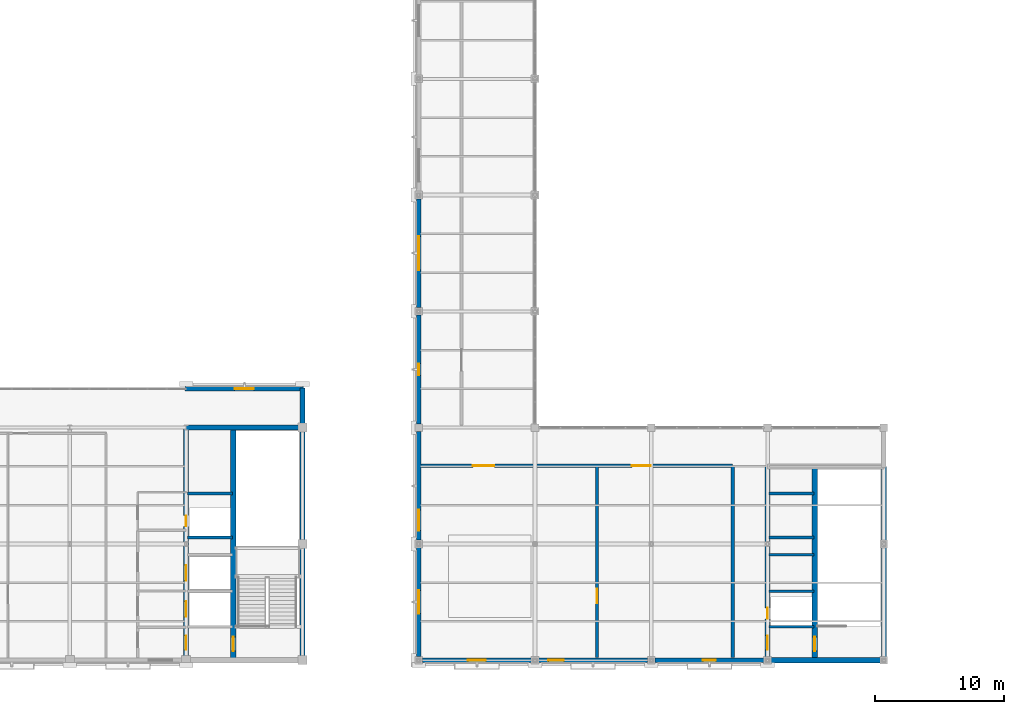
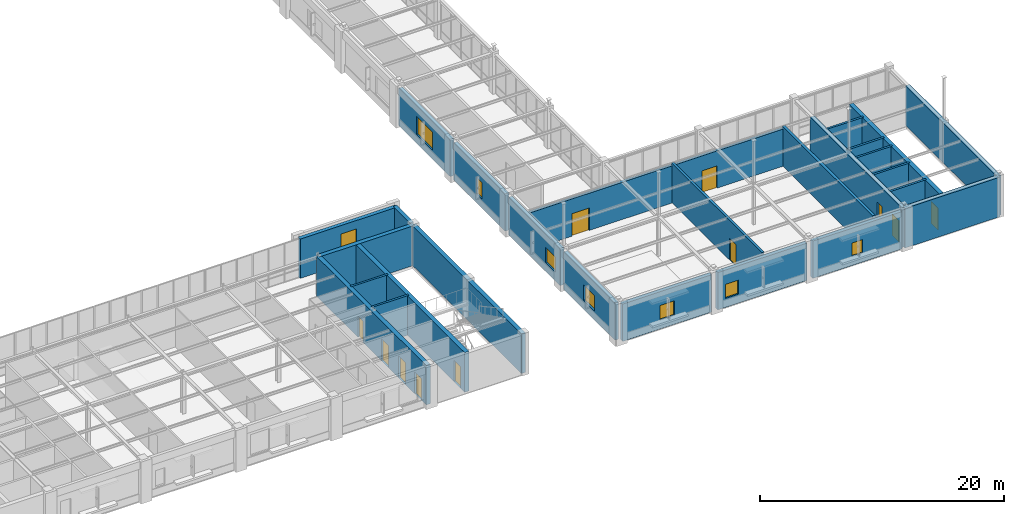
# One storey, part 82 of 97: 27 walls, 11 doors, 8 windows, 19 openings.
"""IFC4 building model written with IfcOpenShell, lengths in metres."""

from ifc_helpers import new_model, si_unit, direction, frame, frame_2d, origin, place, context, subcontext, project, spatial, rectangle, extrude, material, layer, layer_set, type_object, element, fill, save


model = new_model("IFC4")

# Units and contexts
model_context = context("Model", 3, precision=1e-05, world=origin(), true_north=direction((0.0, 1.0)))
body_context = subcontext(model_context, "Body", "Model", "MODEL_VIEW")
ifc_project = project(units=[si_unit("LENGTHUNIT", "METRE"), si_unit("AREAUNIT", "SQUARE_METRE"), si_unit("VOLUMEUNIT", "CUBIC_METRE"), si_unit("PLANEANGLEUNIT", "RADIAN"), si_unit("MASSUNIT", "GRAM", prefix="KILO")], contexts=[model_context])

# Site, building, storey
site_placement = place(None, origin())
site = spatial("IfcSite", under=ifc_project, at=site_placement, CompositionType="ELEMENT")
building_placement = place(site_placement, origin())
building = spatial("IfcBuilding", under=site, at=building_placement, Name="Lykobir Media Centre", CompositionType="ELEMENT")
storey_placement = place(building_placement, frame((0.0, 0.0, 23.39990234375)))
storey = spatial("IfcBuildingStorey", under=building, at=storey_placement, Name="L05", CompositionType="ELEMENT", Elevation=23.39990234375)

# Wall, opening, window
ifc_material_1 = material(Name="Architectural Ochre Brick", Category="masonry")
ifc_layer_1 = layer(ifc_material_1, 0.360107421875, Name="Architectural Ochre Brick")
ifc_layer_set_1 = layer_set([ifc_layer_1], Name="Architectural Ochre Brick")
wall_type_1 = type_object("IfcWallType", Name="EW-BRK-360", PredefinedType="STANDARD", material=ifc_layer_set_1)
wall_1_placement = place(storey_placement, frame((90.0, 26.715087890625, 0.0), z_axis=(0.0, 0.0, 1.0), x_axis=(0.0, -1.0, 0.0)))
wall_1 = element("IfcWall", 1, at=wall_1_placement, inside=storey, type_object=wall_type_1, Name="Exterior wall WALL-L05-0313", PredefinedType="STANDARD", context=body_context, shape_type="SweptSolid", body=[
    extrude(rectangle(XDim=8.43017578125, YDim=0.360107421875, at=frame_2d((4.215087890625, 0.0))), origin(), (0.0, 0.0, 1.0), 3.735107421875),
])
opening_1_placement = place(wall_1_placement, frame((3.764892578125, 0.0, 0.89990234375)))
opening_1 = element("IfcOpeningElement", 2, at=opening_1_placement, cuts=wall_1, Name="Opening WN-0900x1650", PredefinedType="OPENING", context=body_context, shape_type="SweptSolid", body=[
    extrude(rectangle(XDim=0.89990234375, YDim=1.64990234375, at=frame_2d((0.449951171875, 0.824951171875))), frame((0.0, 0.18994140625, 0.0), z_axis=(0.0, -1.0, 0.0), x_axis=(1.0, 0.0, 0.0)), (0.0, 0.0, 1.0), 0.380126953125),
])
ifc_material_2 = material(Name="Low-E Laminated Triple Glazing", Category="glass")
window_type_1 = type_object("IfcWindowType", Name="WN-0900x1650", PartitioningType="SINGLE_PANEL", PredefinedType="WINDOW", material=ifc_material_2)
window_1_placement = place(opening_1_placement, origin())
window_1 = element("IfcWindow", 3, at=window_1_placement, inside=storey, type_object=window_type_1, Name="Window WIN-L05-0126", OverallHeight=1.64990234375, OverallWidth=0.89990234375, PartitioningType="SINGLE_PANEL", PredefinedType="WINDOW", context=body_context, shape_type="SweptSolid", body=[
    extrude(rectangle(XDim=0.89990234375, YDim=1.64990234375, at=frame_2d((0.449951171875, 0.824951171875))), frame((0.0, 0.030029296875, 0.0), z_axis=(0.0, -1.0, 0.0), x_axis=(1.0, 0.0, 0.0)), (0.0, 0.0, 1.0), 0.06005859375),
])
fill(opening_1, window_1)

wall_2_placement = place(storey_placement, frame((90.0, 35.715087890625, 0.0), z_axis=(0.0, 0.0, 1.0), x_axis=(0.0, -1.0, 0.0)))
wall_2 = element("IfcWall", 4, at=wall_2_placement, inside=storey, type_object=wall_type_1, Name="Exterior wall WALL-L05-0314", PredefinedType="STANDARD", context=body_context, shape_type="SweptSolid", body=[
    extrude(rectangle(XDim=8.43017578125, YDim=0.360107421875, at=frame_2d((4.215087890625, 0.0))), origin(), (0.0, 0.0, 1.0), 3.735107421875),
])
opening_2_placement = place(wall_2_placement, frame((2.9150390625, 0.0, 0.89990234375)))
opening_2 = element("IfcOpeningElement", 5, at=opening_2_placement, cuts=wall_2, Name="Opening WN-2600x1800", PredefinedType="OPENING", context=body_context, shape_type="SweptSolid", body=[
    extrude(rectangle(XDim=2.60009765625, YDim=1.800048828125, at=frame_2d((1.300048828125, 0.89990234375))), frame((0.0, 0.18994140625, 0.0), z_axis=(0.0, -1.0, 0.0), x_axis=(1.0, 0.0, 0.0)), (0.0, 0.0, 1.0), 0.380126953125),
])
window_type_2 = type_object("IfcWindowType", Name="WN-2600x1800", PartitioningType="SINGLE_PANEL", PredefinedType="WINDOW", material=ifc_material_2)
window_2_placement = place(opening_2_placement, origin())
window_2 = element("IfcWindow", 6, at=window_2_placement, inside=storey, type_object=window_type_2, Name="Window WIN-L05-0127", OverallHeight=1.800048828125, OverallWidth=2.60009765625, PartitioningType="SINGLE_PANEL", PredefinedType="WINDOW", context=body_context, shape_type="SweptSolid", body=[
    extrude(rectangle(XDim=2.60009765625, YDim=1.800048828125, at=frame_2d((1.300048828125, 0.89990234375))), frame((0.0, 0.030029296875, 0.0), z_axis=(0.0, -1.0, 0.0), x_axis=(1.0, 0.0, 0.0)), (0.0, 0.0, 1.0), 0.06005859375),
])
fill(opening_2, window_2)

wall_3_placement = place(storey_placement, frame((90.0, 8.715087890625, 0.0), z_axis=(0.0, 0.0, 1.0), x_axis=(0.0, -1.0, 0.0)))
wall_3 = element("IfcWall", 7, at=wall_3_placement, inside=storey, type_object=wall_type_1, Name="Exterior wall WALL-L05-0319", PredefinedType="STANDARD", context=body_context, shape_type="SweptSolid", body=[
    extrude(rectangle(XDim=8.43017578125, YDim=0.360107421875, at=frame_2d((4.215087890625, 0.0))), origin(), (0.0, 0.0, 1.0), 3.735107421875),
])
opening_3_placement = place(wall_3_placement, frame((3.31494140625, 0.0, 0.89990234375)))
opening_3 = element("IfcOpeningElement", 8, at=opening_3_placement, cuts=wall_3, Name="Opening WN-1800x1550", PredefinedType="OPENING", context=body_context, shape_type="SweptSolid", body=[
    extrude(rectangle(XDim=1.800048828125, YDim=1.550048828125, at=frame_2d((0.89990234375, 0.77490234375))), frame((0.0, 0.18994140625, 0.0), z_axis=(0.0, -1.0, 0.0), x_axis=(1.0, 0.0, 0.0)), (0.0, 0.0, 1.0), 0.380126953125),
])
window_type_3 = type_object("IfcWindowType", Name="WN-1800x1550", PartitioningType="SINGLE_PANEL", PredefinedType="WINDOW", material=ifc_material_2)
window_3_placement = place(opening_3_placement, origin())
window_3 = element("IfcWindow", 9, at=window_3_placement, inside=storey, type_object=window_type_3, Name="Window WIN-L05-0132", OverallHeight=1.550048828125, OverallWidth=1.800048828125, PartitioningType="SINGLE_PANEL", PredefinedType="WINDOW", context=body_context, shape_type="SweptSolid", body=[
    extrude(rectangle(XDim=1.800048828125, YDim=1.550048828125, at=frame_2d((0.89990234375, 0.77490234375))), frame((0.0, 0.030029296875, 0.0), z_axis=(0.0, -1.0, 0.0), x_axis=(1.0, 0.0, 0.0)), (0.0, 0.0, 1.0), 0.06005859375),
])
fill(opening_3, window_3)

wall_4_placement = place(storey_placement, frame((90.0, 17.715087890625, 0.0), z_axis=(0.0, 0.0, 1.0), x_axis=(0.0, -1.0, 0.0)))
wall_4 = element("IfcWall", 10, at=wall_4_placement, inside=storey, type_object=wall_type_1, Name="Exterior wall WALL-L05-0320", PredefinedType="STANDARD", context=body_context, shape_type="SweptSolid", body=[
    extrude(rectangle(XDim=8.43017578125, YDim=0.360107421875, at=frame_2d((4.215087890625, 0.0))), origin(), (0.0, 0.0, 1.0), 3.735107421875),
])
opening_4_placement = place(wall_4_placement, frame((6.080078125, 0.0, 0.89990234375)))
opening_4 = element("IfcOpeningElement", 11, at=opening_4_placement, cuts=wall_4, Name="Opening WN-1600x1500", PredefinedType="OPENING", context=body_context, shape_type="SweptSolid", body=[
    extrude(rectangle(XDim=1.60009765625, YDim=1.5, at=frame_2d((0.800048828125, 0.75))), frame((0.0, 0.18994140625, 0.0), z_axis=(0.0, -1.0, 0.0), x_axis=(1.0, 0.0, 0.0)), (0.0, 0.0, 1.0), 0.380126953125),
])
window_type_4 = type_object("IfcWindowType", Name="WN-1600x1500", PartitioningType="SINGLE_PANEL", PredefinedType="WINDOW", material=ifc_material_2)
window_4_placement = place(opening_4_placement, origin())
window_4 = element("IfcWindow", 12, at=window_4_placement, inside=storey, type_object=window_type_4, Name="Window WIN-L05-0133", OverallHeight=1.5, OverallWidth=1.60009765625, PartitioningType="SINGLE_PANEL", PredefinedType="WINDOW", context=body_context, shape_type="SweptSolid", body=[
    extrude(rectangle(XDim=1.60009765625, YDim=1.5, at=frame_2d((0.800048828125, 0.75))), frame((0.0, 0.030029296875, 0.0), z_axis=(0.0, -1.0, 0.0), x_axis=(1.0, 0.0, 0.0)), (0.0, 0.0, 1.0), 0.06005859375),
])
fill(opening_4, window_4)

wall_5_placement = place(storey_placement, frame((90.284912109375, 0.0, 0.0), z_axis=(0.0, 0.0, 1.0), x_axis=(1.0, 0.0, 0.0)))
wall_5 = element("IfcWall", 13, at=wall_5_placement, inside=storey, type_object=wall_type_1, Name="Exterior wall WALL-L05-0321", PredefinedType="STANDARD", context=body_context, shape_type="SweptSolid", body=[
    extrude(rectangle(XDim=8.43017578125, YDim=0.360107421875, at=frame_2d((4.215087890625, 0.0))), origin(), (0.0, 0.0, 1.0), 3.735107421875),
])
opening_5_placement = place(wall_5_placement, frame((3.514892578125, 0.0, 0.89990234375)))
opening_5 = element("IfcOpeningElement", 14, at=opening_5_placement, cuts=wall_5, Name="Opening WN-1400x1450", PredefinedType="OPENING", context=body_context, shape_type="SweptSolid", body=[
    extrude(rectangle(XDim=1.39990234375, YDim=1.449951171875, at=frame_2d((0.699951171875, 0.72509765625))), frame((0.0, 0.18994140625, 0.0), z_axis=(0.0, -1.0, 0.0), x_axis=(1.0, 0.0, 0.0)), (0.0, 0.0, 1.0), 0.380126953125),
])
window_type_5 = type_object("IfcWindowType", Name="WN-1400x1450", PartitioningType="SINGLE_PANEL", PredefinedType="WINDOW", material=ifc_material_2)
window_5_placement = place(opening_5_placement, origin())
window_5 = element("IfcWindow", 15, at=window_5_placement, inside=storey, type_object=window_type_5, Name="Window WIN-L05-0134", OverallHeight=1.449951171875, OverallWidth=1.39990234375, PartitioningType="SINGLE_PANEL", PredefinedType="WINDOW", context=body_context, shape_type="SweptSolid", body=[
    extrude(rectangle(XDim=1.39990234375, YDim=1.449951171875, at=frame_2d((0.699951171875, 0.72509765625))), frame((0.0, 0.030029296875, 0.0), z_axis=(0.0, -1.0, 0.0), x_axis=(1.0, 0.0, 0.0)), (0.0, 0.0, 1.0), 0.06005859375),
])
fill(opening_5, window_5)

wall_6_placement = place(storey_placement, frame((99.284912109375, 0.0, 0.0), z_axis=(0.0, 0.0, 1.0), x_axis=(1.0, 0.0, 0.0)))
wall_6 = element("IfcWall", 16, at=wall_6_placement, inside=storey, type_object=wall_type_1, Name="Exterior wall WALL-L05-0322", PredefinedType="STANDARD", context=body_context, shape_type="SweptSolid", body=[
    extrude(rectangle(XDim=8.43017578125, YDim=0.360107421875, at=frame_2d((4.215087890625, 0.0))), origin(), (0.0, 0.0, 1.0), 3.735107421875),
])
opening_6_placement = place(wall_6_placement, frame((0.75, 0.0, 0.89990234375)))
opening_6 = element("IfcOpeningElement", 17, at=opening_6_placement, cuts=wall_6, Name="Opening WN-1200x1400", PredefinedType="OPENING", context=body_context, shape_type="SweptSolid", body=[
    extrude(rectangle(XDim=1.199951171875, YDim=1.39990234375, at=frame_2d((0.60009765625, 0.699951171875))), frame((0.0, 0.18994140625, 0.0), z_axis=(0.0, -1.0, 0.0), x_axis=(1.0, 0.0, 0.0)), (0.0, 0.0, 1.0), 0.380126953125),
])
window_type_6 = type_object("IfcWindowType", Name="WN-1200x1400", PartitioningType="SINGLE_PANEL", PredefinedType="WINDOW", material=ifc_material_2)
window_6_placement = place(opening_6_placement, origin())
window_6 = element("IfcWindow", 18, at=window_6_placement, inside=storey, type_object=window_type_6, Name="Window WIN-L05-0135", OverallHeight=1.39990234375, OverallWidth=1.199951171875, PartitioningType="SINGLE_PANEL", PredefinedType="WINDOW", context=body_context, shape_type="SweptSolid", body=[
    extrude(rectangle(XDim=1.199951171875, YDim=1.39990234375, at=frame_2d((0.60009765625, 0.699951171875))), frame((0.0, 0.030029296875, 0.0), z_axis=(0.0, -1.0, 0.0), x_axis=(1.0, 0.0, 0.0)), (0.0, 0.0, 1.0), 0.06005859375),
])
fill(opening_6, window_6)

wall_7_placement = place(storey_placement, frame((108.284912109375, 0.0, 0.0), z_axis=(0.0, 0.0, 1.0), x_axis=(1.0, 0.0, 0.0)))
wall_7 = element("IfcWall", 19, at=wall_7_placement, inside=storey, type_object=wall_type_1, Name="Exterior wall WALL-L05-0323", PredefinedType="STANDARD", context=body_context, shape_type="SweptSolid", body=[
    extrude(rectangle(XDim=8.43017578125, YDim=0.360107421875, at=frame_2d((4.215087890625, 0.0))), origin(), (0.0, 0.0, 1.0), 3.735107421875),
])
opening_7_placement = place(wall_7_placement, frame((3.715087890625, 0.0, 0.89990234375)))
opening_7 = element("IfcOpeningElement", 20, at=opening_7_placement, cuts=wall_7, Name="Opening WN-1000x1350", PredefinedType="OPENING", context=body_context, shape_type="SweptSolid", body=[
    extrude(rectangle(XDim=1.0, YDim=1.35009765625, at=frame_2d((0.5, 0.675048828125))), frame((0.0, 0.18994140625, 0.0), z_axis=(0.0, -1.0, 0.0), x_axis=(1.0, 0.0, 0.0)), (0.0, 0.0, 1.0), 0.380126953125),
])
window_type_7 = type_object("IfcWindowType", Name="WN-1000x1350", PartitioningType="SINGLE_PANEL", PredefinedType="WINDOW", material=ifc_material_2)
window_7_placement = place(opening_7_placement, origin())
window_7 = element("IfcWindow", 21, at=window_7_placement, inside=storey, type_object=window_type_7, Name="Window WIN-L05-0136", OverallHeight=1.35009765625, OverallWidth=1.0, PartitioningType="SINGLE_PANEL", PredefinedType="WINDOW", context=body_context, shape_type="SweptSolid", body=[
    extrude(rectangle(XDim=1.0, YDim=1.35009765625, at=frame_2d((0.5, 0.675048828125))), frame((0.0, 0.030029296875, 0.0), z_axis=(0.0, -1.0, 0.0), x_axis=(1.0, 0.0, 0.0)), (0.0, 0.0, 1.0), 0.06005859375),
])
fill(opening_7, window_7)

# Wall
wall_8_placement = place(storey_placement, frame((81.0, 18.3349609375, 0.0), z_axis=(0.0, 0.0, 1.0), x_axis=(0.0, 1.0, 0.0)))
element("IfcWall", 22, at=wall_8_placement, inside=storey, type_object=wall_type_1, Name="Exterior wall WALL-L05-0325", PredefinedType="STANDARD", context=body_context, shape_type="SweptSolid", body=[
    extrude(rectangle(XDim=2.739990234375, YDim=0.360107421875, at=frame_2d((1.3701171875, 0.0))), origin(), (0.0, 0.0, 1.0), 3.940185546875),
])

# Wall, opening, window
wall_9_placement = place(storey_placement, frame((81.074951171875, 21.0, 0.0), z_axis=(0.0, 0.0, 1.0), x_axis=(-1.0, 0.0, 0.0)))
wall_9 = element("IfcWall", 23, at=wall_9_placement, inside=storey, type_object=wall_type_1, Name="Exterior wall WALL-L05-0326", PredefinedType="STANDARD", context=body_context, shape_type="SweptSolid", body=[
    extrude(rectangle(XDim=9.14990234375, YDim=0.360107421875, at=frame_2d((4.574951171875, 0.0))), origin(), (0.0, 0.0, 1.0), 3.940185546875),
])
opening_8_placement = place(wall_9_placement, frame((3.824951171875, 0.0, 0.89990234375)))
opening_8 = element("IfcOpeningElement", 24, at=opening_8_placement, cuts=wall_9, Name="Opening WN-1500x2200", PredefinedType="OPENING", context=body_context, shape_type="SweptSolid", body=[
    extrude(rectangle(XDim=1.5, YDim=2.199951171875, at=frame_2d((0.75, 1.10009765625))), frame((0.0, 0.18994140625, 0.0), z_axis=(0.0, -1.0, 0.0), x_axis=(1.0, 0.0, 0.0)), (0.0, 0.0, 1.0), 0.380126953125),
])
window_type_8 = type_object("IfcWindowType", Name="WN-1500x2200", PartitioningType="SINGLE_PANEL", PredefinedType="WINDOW", material=ifc_material_2)
window_8_placement = place(opening_8_placement, origin())
window_8 = element("IfcWindow", 25, at=window_8_placement, inside=storey, type_object=window_type_8, Name="Window WIN-L05-0137", OverallHeight=2.199951171875, OverallWidth=1.5, PartitioningType="SINGLE_PANEL", PredefinedType="WINDOW", context=body_context, shape_type="SweptSolid", body=[
    extrude(rectangle(XDim=1.5, YDim=2.199951171875, at=frame_2d((0.75, 1.10009765625))), frame((0.0, 0.030029296875, 0.0), z_axis=(0.0, -1.0, 0.0), x_axis=(1.0, 0.0, 0.0)), (0.0, 0.0, 1.0), 0.06005859375),
])
fill(opening_8, window_8)

# Walls
ifc_material_3 = material(Name="Concrete C30/37", Category="concrete")
ifc_layer_2 = layer(ifc_material_3, 0.199951171875, Name="Concrete C30/37")
ifc_layer_set_2 = layer_set([ifc_layer_2], Name="Concrete C30/37")
wall_type_2 = type_object("IfcWallType", Name="IW-SHAFT-200", PredefinedType="PARTITIONING", material=ifc_layer_set_2)
for number, where, z_axis, x_axis, name in (
    (26, (72.10009765625, 9.5, 0.0), (0.0, 0.0, 1.0), (1.0, 0.0, 0.0), "Wall IWALL-L05-0287"),
    (27, (72.10009765625, 12.89990234375, 0.0), (0.0, 0.0, 1.0), (1.0, 0.0, 0.0), "Wall IWALL-L05-0288"),
    (28, (117.10009765625, 2.60009765625, 0.0), (0.0, 0.0, 1.0), (1.0, 0.0, 0.0), "Wall IWALL-L05-0639"),
    (29, (117.10009765625, 5.35009765625, 0.0), (0.0, 0.0, 1.0), (1.0, 0.0, 0.0), "Wall IWALL-L05-0640"),
    (30, (117.10009765625, 8.14990234375, 0.0), (0.0, 0.0, 1.0), (1.0, 0.0, 0.0), "Wall IWALL-L05-0641"),
    (31, (117.10009765625, 9.5, 0.0), (0.0, 0.0, 1.0), (1.0, 0.0, 0.0), "Wall IWALL-L05-0642"),
    (32, (117.10009765625, 12.89990234375, 0.0), (0.0, 0.0, 1.0), (1.0, 0.0, 0.0), "Wall IWALL-L05-0643"),
):
    element("IfcWall", number, at=place(storey_placement, frame(where, z_axis=z_axis, x_axis=x_axis)), inside=storey, type_object=wall_type_2, Name=name, PredefinedType="PARTITIONING", context=body_context, shape_type="SweptSolid", body=[
        extrude(rectangle(XDim=3.5, YDim=0.199951171875, at=frame_2d((1.75, 0.0))), origin(), (0.0, 0.0, 1.0), 3.960205078125),
    ])

# Wall, opening, door
ifc_material_4 = material(Name="Acoustic Gypsum Board", Category="gypsum")
ifc_layer_3 = layer(ifc_material_4, 0.219970703125, Name="Acoustic Gypsum Board")
ifc_layer_set_3 = layer_set([ifc_layer_3], Name="Acoustic Gypsum Board")
wall_type_3 = type_object("IfcWallType", Name="IW-STU-220", PredefinedType="PARTITIONING", material=ifc_layer_set_3)
wall_10_placement = place(storey_placement, frame((103.800048828125, 0.219970703125, 0.0), z_axis=(0.0, 0.0, 1.0), x_axis=(0.0, 1.0, 0.0)))
wall_10 = element("IfcWall", 33, at=wall_10_placement, inside=storey, type_object=wall_type_3, Name="Wall IWALL-L05-0769", PredefinedType="PARTITIONING", context=body_context, shape_type="SweptSolid", body=[
    extrude(rectangle(XDim=14.830078125, YDim=0.219970703125, at=frame_2d((7.4150390625, 0.0))), origin(), (0.0, 0.0, 1.0), 3.960205078125),
])
opening_9_placement = place(wall_10_placement, frame((4.199951171875, 0.0, 0.0)))
opening_9 = element("IfcOpeningElement", 34, at=opening_9_placement, cuts=wall_10, Name="Opening D-L05-RADS", PredefinedType="OPENING", context=body_context, shape_type="SweptSolid", body=[
    extrude(rectangle(XDim=1.10009765625, YDim=2.159912109375, at=frame_2d((0.550048828125, 1.080078125))), frame((0.0, 0.119873046875, 0.0), z_axis=(0.0, -1.0, 0.0), x_axis=(1.0, 0.0, 0.0)), (0.0, 0.0, 1.0), 0.239990234375),
])
ifc_material_5 = material(Name="Acoustic Timber Panelling", Category="wood")
door_type_1 = type_object("IfcDoorType", Name="FD-1100x2160", OperationType="NOTDEFINED", PredefinedType="DOOR", material=ifc_material_5)
door_1_placement = place(opening_9_placement, origin())
door_1 = element("IfcDoor", 35, at=door_1_placement, inside=storey, type_object=door_type_1, Name="Door D-L05-RADS", OperationType="SINGLE_SWING_LEFT", OverallHeight=2.159912109375, OverallWidth=1.10009765625, PredefinedType="DOOR", context=body_context, shape_type="SweptSolid", body=[
    extrude(rectangle(XDim=1.10009765625, YDim=2.159912109375, at=frame_2d((0.550048828125, 1.080078125))), frame((0.0, 0.02490234375, 0.0), z_axis=(0.0, -1.0, 0.0), x_axis=(1.0, 0.0, 0.0)), (0.0, 0.0, 1.0), 0.050048828125),
])
fill(opening_9, door_1)

# Wall, openings, doors
ifc_layer_4 = layer(ifc_material_4, 0.260009765625, Name="Acoustic Gypsum Board")
ifc_layer_set_4 = layer_set([ifc_layer_4], Name="Acoustic Gypsum Board")
wall_type_4 = type_object("IfcWallType", Name="IW-STU-260", PredefinedType="PARTITIONING", material=ifc_layer_set_4)
wall_11_placement = place(storey_placement, frame((90.0, 15.050048828125, 0.0), z_axis=(0.0, 0.0, 1.0), x_axis=(1.0, 0.0, 0.0)))
wall_11 = element("IfcWall", 36, at=wall_11_placement, inside=storey, type_object=wall_type_4, Name="Wall IWALL-L05-0766", PredefinedType="PARTITIONING", context=body_context, shape_type="SweptSolid", body=[
    extrude(rectangle(XDim=24.300048828125, YDim=0.260009765625, at=frame_2d((12.14990234375, 0.0))), origin(), (0.0, 0.0, 1.0), 3.72509765625),
])
opening_10_placement = place(wall_11_placement, frame((4.199951171875, 0.0, 0.0)))
opening_10 = element("IfcOpeningElement", 37, at=opening_10_placement, cuts=wall_11, Name="Opening D-L05-ES1", PredefinedType="OPENING", context=body_context, shape_type="SweptSolid", body=[
    extrude(rectangle(XDim=1.64990234375, YDim=2.25, at=frame_2d((0.824951171875, 1.125))), frame((0.0, 0.139892578125, 0.0), z_axis=(0.0, -1.0, 0.0), x_axis=(1.0, 0.0, 0.0)), (0.0, 0.0, 1.0), 0.280029296875),
])
opening_11_placement = place(wall_11_placement, frame((16.5, 0.0, 0.0)))
opening_11 = element("IfcOpeningElement", 38, at=opening_11_placement, cuts=wall_11, Name="Opening D-L05-ES2", PredefinedType="OPENING", context=body_context, shape_type="SweptSolid", body=[
    extrude(rectangle(XDim=1.449951171875, YDim=2.219970703125, at=frame_2d((0.72509765625, 1.10986328125))), frame((0.0, 0.139892578125, 0.0), z_axis=(0.0, -1.0, 0.0), x_axis=(1.0, 0.0, 0.0)), (0.0, 0.0, 1.0), 0.280029296875),
])
door_type_2 = type_object("IfcDoorType", Name="FD-1450x2220", OperationType="NOTDEFINED", PredefinedType="DOOR", material=ifc_material_5)
door_2_placement = place(opening_11_placement, origin())
door_2 = element("IfcDoor", 39, at=door_2_placement, inside=storey, type_object=door_type_2, Name="Door D-L05-ES2", OperationType="DOUBLE_DOOR_SINGLE_SWING", OverallHeight=2.219970703125, OverallWidth=1.449951171875, PredefinedType="DOOR", context=body_context, shape_type="SweptSolid", body=[
    extrude(rectangle(XDim=1.449951171875, YDim=2.219970703125, at=frame_2d((0.72509765625, 1.10986328125))), frame((0.0, 0.02490234375, 0.0), z_axis=(0.0, -1.0, 0.0), x_axis=(1.0, 0.0, 0.0)), (0.0, 0.0, 1.0), 0.050048828125),
])
fill(opening_11, door_2)
door_type_3 = type_object("IfcDoorType", Name="FD-1650x2250", OperationType="NOTDEFINED", PredefinedType="DOOR", material=ifc_material_5)
door_3_placement = place(opening_10_placement, origin())
door_3 = element("IfcDoor", 40, at=door_3_placement, inside=storey, type_object=door_type_3, Name="Door D-L05-ES1", OperationType="DOUBLE_DOOR_SINGLE_SWING", OverallHeight=2.25, OverallWidth=1.64990234375, PredefinedType="DOOR", context=body_context, shape_type="SweptSolid", body=[
    extrude(rectangle(XDim=1.64990234375, YDim=2.25, at=frame_2d((0.824951171875, 1.125))), frame((0.0, 0.02490234375, 0.0), z_axis=(0.0, -1.0, 0.0), x_axis=(1.0, 0.0, 0.0)), (0.0, 0.0, 1.0), 0.050048828125),
])
fill(opening_10, door_3)

# Wall
wall_12_placement = place(storey_placement, frame((114.300048828125, 0.219970703125, 0.0), z_axis=(0.0, 0.0, 1.0), x_axis=(0.0, 1.0, 0.0)))
element("IfcWall", 41, at=wall_12_placement, inside=storey, type_object=wall_type_4, Name="Wall IWALL-L05-0767", PredefinedType="PARTITIONING", context=body_context, shape_type="SweptSolid", body=[
    extrude(rectangle(XDim=14.830078125, YDim=0.260009765625, at=frame_2d((7.4150390625, 0.0))), origin(), (0.0, 0.0, 1.0), 3.960205078125),
])

# Wall, openings, doors
ifc_material_6 = material(Name="Concrete C40/50", Category="concrete")
ifc_layer_5 = layer(ifc_material_6, 0.39990234375, Name="Concrete C40/50")
ifc_layer_set_5 = layer_set([ifc_layer_5], Name="Concrete C40/50")
wall_type_5 = type_object("IfcWallType", Name="SW-CORE-400", PredefinedType="SHEAR", material=ifc_layer_set_5)
wall_13_placement = place(storey_placement, frame((72.0, 18.0, 0.0), z_axis=(0.0, 0.0, 1.0), x_axis=(0.0, -1.0, 0.0)))
wall_13 = element("IfcWall", 42, at=wall_13_placement, inside=storey, type_object=wall_type_5, Name="Wall IWALL-L05-0282", PredefinedType="SHEAR", context=body_context, shape_type="SweptSolid", body=[
    extrude(rectangle(XDim=18.0, YDim=0.39990234375, at=frame_2d((9.0, 0.0))), origin(), (0.0, 0.0, 1.0), 3.960205078125),
])
opening_12_placement = place(wall_13_placement, frame((16.10009765625, 0.0, 0.0)))
opening_12 = element("IfcOpeningElement", 43, at=opening_12_placement, cuts=wall_13, Name="Opening D-L05-C2VB", PredefinedType="OPENING", context=body_context, shape_type="SweptSolid", body=[
    extrude(rectangle(XDim=1.10009765625, YDim=2.159912109375, at=frame_2d((0.550048828125, 1.080078125))), frame((0.0, 0.2099609375, 0.0), z_axis=(0.0, -1.0, 0.0), x_axis=(1.0, 0.0, 0.0)), (0.0, 0.0, 1.0), 0.419921875),
])
opening_13_placement = place(wall_13_placement, frame((13.449951171875, 0.0, 0.0)))
opening_13 = element("IfcOpeningElement", 44, at=opening_13_placement, cuts=wall_13, Name="Opening LD-L05-PL-2", PredefinedType="OPENING", context=body_context, shape_type="SweptSolid", body=[
    extrude(rectangle(XDim=1.199951171875, YDim=2.199951171875, at=frame_2d((0.60009765625, 1.10009765625))), frame((0.0, 0.2099609375, 0.0), z_axis=(0.0, -1.0, 0.0), x_axis=(1.0, 0.0, 0.0)), (0.0, 0.0, 1.0), 0.419921875),
])
opening_14_placement = place(wall_13_placement, frame((10.64990234375, 0.0, 0.0)))
opening_14 = element("IfcOpeningElement", 45, at=opening_14_placement, cuts=wall_13, Name="Opening LD-L05-FL-2", PredefinedType="OPENING", context=body_context, shape_type="SweptSolid", body=[
    extrude(rectangle(XDim=1.199951171875, YDim=2.199951171875, at=frame_2d((0.60009765625, 1.10009765625))), frame((0.0, 0.2099609375, 0.0), z_axis=(0.0, -1.0, 0.0), x_axis=(1.0, 0.0, 0.0)), (0.0, 0.0, 1.0), 0.419921875),
])
opening_15_placement = place(wall_13_placement, frame((6.800048828125, 0.0, 0.0)))
opening_15 = element("IfcOpeningElement", 46, at=opening_15_placement, cuts=wall_13, Name="Opening D-L05-C2RS", PredefinedType="OPENING", context=body_context, shape_type="SweptSolid", body=[
    extrude(rectangle(XDim=0.85009765625, YDim=2.10009765625, at=frame_2d((0.425048828125, 1.050048828125))), frame((0.0, 0.2099609375, 0.0), z_axis=(0.0, -1.0, 0.0), x_axis=(1.0, 0.0, 0.0)), (0.0, 0.0, 1.0), 0.419921875),
])
ifc_material_7 = material(Name="Anodized Aluminium AW-6060", Category="aluminium")
door_type_4 = type_object("IfcDoorType", Name="FD-0850x2100", OperationType="NOTDEFINED", PredefinedType="DOOR", material=ifc_material_7)
door_4_placement = place(opening_15_placement, origin())
door_4 = element("IfcDoor", 47, at=door_4_placement, inside=storey, type_object=door_type_4, Name="Riser access door C2 L05", OperationType="SINGLE_SWING_RIGHT", OverallHeight=2.10009765625, OverallWidth=0.85009765625, PredefinedType="DOOR", context=body_context, shape_type="SweptSolid", body=[
    extrude(rectangle(XDim=0.85009765625, YDim=2.10009765625, at=frame_2d((0.425048828125, 1.050048828125))), frame((0.0, 0.02490234375, 0.0), z_axis=(0.0, -1.0, 0.0), x_axis=(1.0, 0.0, 0.0)), (0.0, 0.0, 1.0), 0.050048828125),
])
fill(opening_15, door_4)
door_5_placement = place(opening_12_placement, origin())
door_5 = element("IfcDoor", 48, at=door_5_placement, inside=storey, type_object=door_type_1, Name="Door D-L05-C2VB", OperationType="SINGLE_SWING_LEFT", OverallHeight=2.159912109375, OverallWidth=1.10009765625, PredefinedType="DOOR", context=body_context, shape_type="SweptSolid", body=[
    extrude(rectangle(XDim=1.10009765625, YDim=2.159912109375, at=frame_2d((0.550048828125, 1.080078125))), frame((0.0, 0.02490234375, 0.0), z_axis=(0.0, -1.0, 0.0), x_axis=(1.0, 0.0, 0.0)), (0.0, 0.0, 1.0), 0.050048828125),
])
fill(opening_12, door_5)
door_type_5 = type_object("IfcDoorType", Name="LD-1200x2200", OperationType="NOTDEFINED", PredefinedType="DOOR", material=ifc_material_7)
door_6_placement = place(opening_13_placement, origin())
door_6 = element("IfcDoor", 49, at=door_6_placement, inside=storey, type_object=door_type_5, Name="Lift landing door PL-2 L05", OperationType="SLIDING_TO_LEFT", OverallHeight=2.199951171875, OverallWidth=1.199951171875, PredefinedType="DOOR", context=body_context, shape_type="SweptSolid", body=[
    extrude(rectangle(XDim=1.199951171875, YDim=2.199951171875, at=frame_2d((0.60009765625, 1.10009765625))), frame((0.0, 0.02490234375, 0.0), z_axis=(0.0, -1.0, 0.0), x_axis=(1.0, 0.0, 0.0)), (0.0, 0.0, 1.0), 0.050048828125),
])
fill(opening_13, door_6)
door_7_placement = place(opening_14_placement, origin())
door_7 = element("IfcDoor", 50, at=door_7_placement, inside=storey, type_object=door_type_5, Name="Firefighting lift landing door FL-2 L05", OperationType="SLIDING_TO_LEFT", OverallHeight=2.199951171875, OverallWidth=1.199951171875, PredefinedType="DOOR", context=body_context, shape_type="SweptSolid", body=[
    extrude(rectangle(XDim=1.199951171875, YDim=2.199951171875, at=frame_2d((0.60009765625, 1.10009765625))), frame((0.0, 0.02490234375, 0.0), z_axis=(0.0, -1.0, 0.0), x_axis=(1.0, 0.0, 0.0)), (0.0, 0.0, 1.0), 0.050048828125),
])
fill(opening_14, door_7)

# Wall, opening, door
wall_14_placement = place(storey_placement, frame((75.64990234375, 0.0, 0.0), z_axis=(0.0, 0.0, 1.0), x_axis=(0.0, 1.0, 0.0)))
wall_14 = element("IfcWall", 51, at=wall_14_placement, inside=storey, type_object=wall_type_5, Name="Wall IWALL-L05-0283", PredefinedType="SHEAR", context=body_context, shape_type="SweptSolid", body=[
    extrude(rectangle(XDim=18.0, YDim=0.39990234375, at=frame_2d((9.0, 0.0))), origin(), (0.0, 0.0, 1.0), 3.960205078125),
])
opening_16_placement = place(wall_14_placement, frame((0.699951171875, 0.0, 0.0)))
opening_16 = element("IfcOpeningElement", 52, at=opening_16_placement, cuts=wall_14, Name="Opening D-L05-C2ST", PredefinedType="OPENING", context=body_context, shape_type="SweptSolid", body=[
    extrude(rectangle(XDim=1.10009765625, YDim=2.159912109375, at=frame_2d((0.550048828125, 1.080078125))), frame((0.0, 0.2099609375, 0.0), z_axis=(0.0, -1.0, 0.0), x_axis=(1.0, 0.0, 0.0)), (0.0, 0.0, 1.0), 0.419921875),
])
door_8_placement = place(opening_16_placement, origin())
door_8 = element("IfcDoor", 53, at=door_8_placement, inside=storey, type_object=door_type_1, Name="L05 ST-2 stairwell fire door", OperationType="SINGLE_SWING_RIGHT", OverallHeight=2.159912109375, OverallWidth=1.10009765625, PredefinedType="DOOR", context=body_context, shape_type="SweptSolid", body=[
    extrude(rectangle(XDim=1.10009765625, YDim=2.159912109375, at=frame_2d((0.550048828125, 1.080078125))), frame((0.0, 0.02490234375, 0.0), z_axis=(0.0, -1.0, 0.0), x_axis=(1.0, 0.0, 0.0)), (0.0, 0.0, 1.0), 0.050048828125),
])
fill(opening_16, door_8)

# Wall, openings, doors
wall_15_placement = place(storey_placement, frame((117.0, 15.0, 0.0), z_axis=(0.0, 0.0, 1.0), x_axis=(0.0, -1.0, 0.0)))
wall_15 = element("IfcWall", 54, at=wall_15_placement, inside=storey, type_object=wall_type_5, Name="Wall IWALL-L05-0637", PredefinedType="SHEAR", context=body_context, shape_type="SweptSolid", body=[
    extrude(rectangle(XDim=15.0, YDim=0.39990234375, at=frame_2d((7.5, 0.0))), origin(), (0.0, 0.0, 1.0), 3.960205078125),
])
opening_17_placement = place(wall_15_placement, frame((13.10009765625, 0.0, 0.0)))
opening_17 = element("IfcOpeningElement", 55, at=opening_17_placement, cuts=wall_15, Name="Opening D-L05-C5VB", PredefinedType="OPENING", context=body_context, shape_type="SweptSolid", body=[
    extrude(rectangle(XDim=1.10009765625, YDim=2.159912109375, at=frame_2d((0.550048828125, 1.080078125))), frame((0.0, 0.2099609375, 0.0), z_axis=(0.0, -1.0, 0.0), x_axis=(1.0, 0.0, 0.0)), (0.0, 0.0, 1.0), 0.419921875),
])
opening_18_placement = place(wall_15_placement, frame((10.949951171875, 0.0, 0.0)))
opening_18 = element("IfcOpeningElement", 56, at=opening_18_placement, cuts=wall_15, Name="Opening D-L05-C5RS", PredefinedType="OPENING", context=body_context, shape_type="SweptSolid", body=[
    extrude(rectangle(XDim=0.85009765625, YDim=2.10009765625, at=frame_2d((0.425048828125, 1.050048828125))), frame((0.0, 0.2099609375, 0.0), z_axis=(0.0, -1.0, 0.0), x_axis=(1.0, 0.0, 0.0)), (0.0, 0.0, 1.0), 0.419921875),
])
door_9_placement = place(opening_18_placement, origin())
door_9 = element("IfcDoor", 57, at=door_9_placement, inside=storey, type_object=door_type_4, Name="Riser access door C5 L05", OperationType="SINGLE_SWING_LEFT", OverallHeight=2.10009765625, OverallWidth=0.85009765625, PredefinedType="DOOR", context=body_context, shape_type="SweptSolid", body=[
    extrude(rectangle(XDim=0.85009765625, YDim=2.10009765625, at=frame_2d((0.425048828125, 1.050048828125))), frame((0.0, 0.02490234375, 0.0), z_axis=(0.0, -1.0, 0.0), x_axis=(1.0, 0.0, 0.0)), (0.0, 0.0, 1.0), 0.050048828125),
])
fill(opening_18, door_9)
door_10_placement = place(opening_17_placement, origin())
door_10 = element("IfcDoor", 58, at=door_10_placement, inside=storey, type_object=door_type_1, Name="Door D-L05-C5VB", OperationType="SINGLE_SWING_RIGHT", OverallHeight=2.159912109375, OverallWidth=1.10009765625, PredefinedType="DOOR", context=body_context, shape_type="SweptSolid", body=[
    extrude(rectangle(XDim=1.10009765625, YDim=2.159912109375, at=frame_2d((0.550048828125, 1.080078125))), frame((0.0, 0.02490234375, 0.0), z_axis=(0.0, -1.0, 0.0), x_axis=(1.0, 0.0, 0.0)), (0.0, 0.0, 1.0), 0.050048828125),
])
fill(opening_17, door_10)

# Wall, opening, door
wall_16_placement = place(storey_placement, frame((120.64990234375, 0.0, 0.0), z_axis=(0.0, 0.0, 1.0), x_axis=(0.0, 1.0, 0.0)))
wall_16 = element("IfcWall", 59, at=wall_16_placement, inside=storey, type_object=wall_type_5, Name="Wall IWALL-L05-0638", PredefinedType="SHEAR", context=body_context, shape_type="SweptSolid", body=[
    extrude(rectangle(XDim=15.0, YDim=0.39990234375, at=frame_2d((7.5, 0.0))), origin(), (0.0, 0.0, 1.0), 3.960205078125),
])
opening_19_placement = place(wall_16_placement, frame((0.699951171875, 0.0, 0.0)))
opening_19 = element("IfcOpeningElement", 60, at=opening_19_placement, cuts=wall_16, Name="Opening D-L05-C5ST", PredefinedType="OPENING", context=body_context, shape_type="SweptSolid", body=[
    extrude(rectangle(XDim=1.10009765625, YDim=2.159912109375, at=frame_2d((0.550048828125, 1.080078125))), frame((0.0, 0.2099609375, 0.0), z_axis=(0.0, -1.0, 0.0), x_axis=(1.0, 0.0, 0.0)), (0.0, 0.0, 1.0), 0.419921875),
])
door_11_placement = place(opening_19_placement, origin())
door_11 = element("IfcDoor", 61, at=door_11_placement, inside=storey, type_object=door_type_1, Name="L05 ST-5 stairwell fire door", OperationType="SINGLE_SWING_LEFT", OverallHeight=2.159912109375, OverallWidth=1.10009765625, PredefinedType="DOOR", context=body_context, shape_type="SweptSolid", body=[
    extrude(rectangle(XDim=1.10009765625, YDim=2.159912109375, at=frame_2d((0.550048828125, 1.080078125))), frame((0.0, 0.02490234375, 0.0), z_axis=(0.0, -1.0, 0.0), x_axis=(1.0, 0.0, 0.0)), (0.0, 0.0, 1.0), 0.050048828125),
])
fill(opening_19, door_11)

# Walls
ifc_layer_6 = layer(ifc_material_6, 0.39990234375, Name="Concrete C40/50")
ifc_layer_set_6 = layer_set([ifc_layer_6], Name="Concrete C40/50")
wall_type_6 = type_object("IfcWallType", Name="SW-CORE-400-E", PredefinedType="SHEAR", material=ifc_layer_set_6)
wall_17_placement = place(storey_placement, frame((81.0, 0.0, 0.0), z_axis=(0.0, 0.0, 1.0), x_axis=(0.0, 1.0, 0.0)))
element("IfcWall", 62, at=wall_17_placement, inside=storey, type_object=wall_type_6, Name="Wall IWALL-L05-0280", PredefinedType="SHEAR", context=body_context, shape_type="SweptSolid", body=[
    extrude(rectangle(XDim=18.0, YDim=0.39990234375, at=frame_2d((9.0, 0.0))), origin(), (0.0, 0.0, 1.0), 3.960205078125),
])
for number, where, z_axis, x_axis, name in (
    (63, (81.0, 18.0, 0.0), (0.0, 0.0, 1.0), (-1.0, 0.0, 0.0), "Wall IWALL-L05-0281"),
    (64, (117.0, 0.0, 0.0), (0.0, 0.0, 1.0), (1.0, 0.0, 0.0), "Wall IWALL-L05-0634"),
):
    element("IfcWall", number, at=place(storey_placement, frame(where, z_axis=z_axis, x_axis=x_axis)), inside=storey, type_object=wall_type_6, Name=name, PredefinedType="SHEAR", context=body_context, shape_type="SweptSolid", body=[
        extrude(rectangle(XDim=9.0, YDim=0.39990234375, at=frame_2d((4.5, 0.0))), origin(), (0.0, 0.0, 1.0), 3.960205078125),
    ])
wall_18_placement = place(storey_placement, frame((126.0, 0.0, 0.0), z_axis=(0.0, 0.0, 1.0), x_axis=(0.0, 1.0, 0.0)))
element("IfcWall", 65, at=wall_18_placement, inside=storey, type_object=wall_type_6, Name="Wall IWALL-L05-0635", PredefinedType="SHEAR", context=body_context, shape_type="SweptSolid", body=[
    extrude(rectangle(XDim=15.0, YDim=0.39990234375, at=frame_2d((7.5, 0.0))), origin(), (0.0, 0.0, 1.0), 3.960205078125),
])

save(model, "model.ifc")
